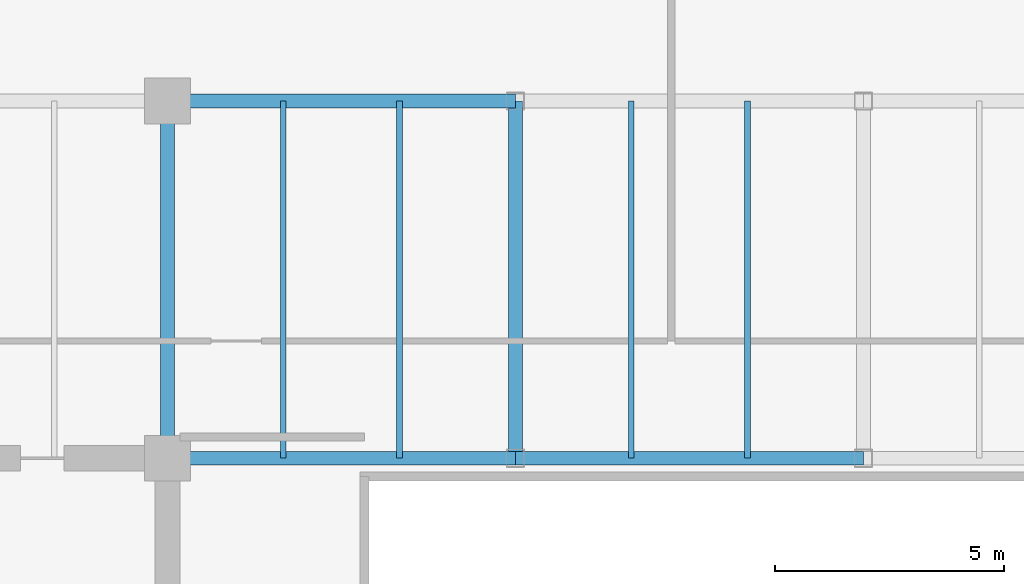
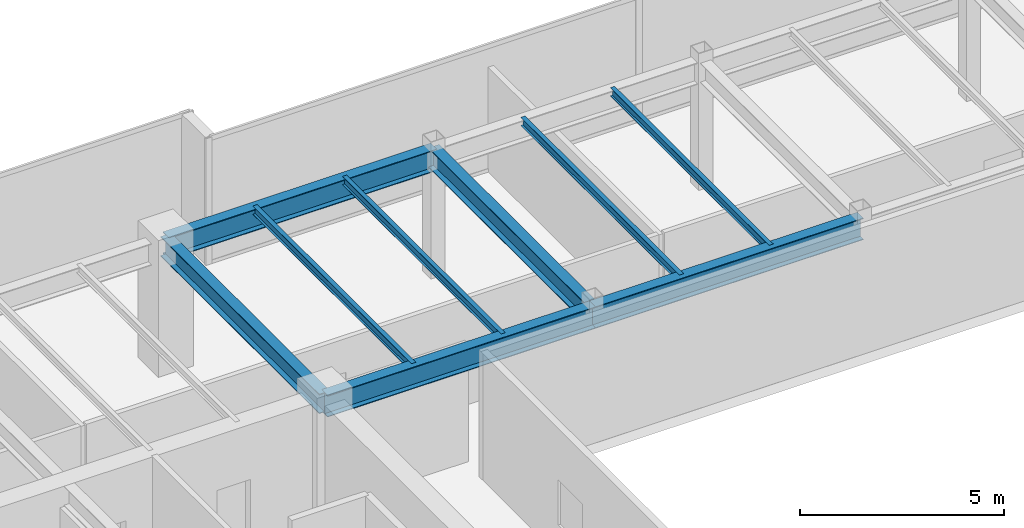
# One storey, part 16 of 34: 9 beams.
"""IFC4 building model written with IfcOpenShell, lengths in metres."""

import ifcopenshell
import ifcopenshell.guid

model = None  # the IFC model being written
_history = None  # IfcOwnerHistory: only IFC2X3 demands one
_inside = {}  # id of a spatial element -> (the spatial element, [elements in it])
_under = {}  # id of a project, library or spatial element -> (it, [spatial elements below it])
_declared = {}  # id of a project -> (the project, [libraries it declares])
_typed = {}  # id of a type object -> (the type object, [elements of that type])
_made_of = {}  # id of a material, layer set ... -> (it, [elements and type objects made of it])


def new_model(schema):
    """Start an empty IFC model of exactly this schema.

    Asked for "IFC4X3", IfcOpenShell would pick the latest addendum, in which some entities
    have other attributes; the version numbers below select the first issue.
    IFC2X3 requires an IfcOwnerHistory on every rooted entity: one is made here for all.
    """
    global model, _history
    if schema == "IFC4X3":
        model = ifcopenshell.file(schema_version=(4, 3, 0, 0))
    else:
        model = ifcopenshell.file(schema=schema)
    _inside.clear()
    _under.clear()
    _declared.clear()
    _typed.clear()
    _made_of.clear()
    _history = None
    if model.schema == "IFC2X3":
        org = make("IfcOrganization", Name="unknown")
        user = make(
            "IfcPersonAndOrganization",
            ThePerson=make("IfcPerson", FamilyName="unknown"),
            TheOrganization=org,
        )
        app = make(
            "IfcApplication",
            ApplicationDeveloper=org,
            Version="unknown",
            ApplicationFullName="unknown",
            ApplicationIdentifier="unknown",
        )
        _history = make(
            "IfcOwnerHistory",
            OwningUser=user,
            OwningApplication=app,
            ChangeAction="ADDED",
            CreationDate=0,
        )
    return model


def make(cls, **values):
    """One entity of the class cls with the attributes given. An attribute that is None is left unset."""
    return model.create_entity(
        cls, **{name: value for name, value in values.items() if value is not None}
    )


def rooted(cls, **values):
    """An entity with a GlobalId (a new one), such as an element, a storey or a relation."""
    return make(cls, GlobalId=ifcopenshell.guid.new(), OwnerHistory=_history, **values)


def si_unit(unit_type, name, prefix=None):
    """IfcSIUnit, for example si_unit("LENGTHUNIT", "METRE", prefix="MILLI")."""
    return make("IfcSIUnit", UnitType=unit_type, Prefix=prefix, Name=name)


def assignment(units):
    """IfcUnitAssignment: the units of a project."""
    return None if units is None else make("IfcUnitAssignment", Units=units)


def point(xyz):
    """IfcCartesianPoint."""
    return None if xyz is None else make("IfcCartesianPoint", Coordinates=xyz)


def direction(xyz):
    """IfcDirection."""
    return None if xyz is None else make("IfcDirection", DirectionRatios=xyz)


def frame(location, z_axis=None, x_axis=None):
    """IfcAxis2Placement3D, a coordinate frame: its origin and axes. An axis left out is left unset."""
    return make(
        "IfcAxis2Placement3D",
        Location=point(location),
        Axis=direction(z_axis),
        RefDirection=direction(x_axis),
    )


def frame_2d(location, x_axis=None):
    """IfcAxis2Placement2D, a coordinate frame in the plane: its origin and x axis."""
    return make(
        "IfcAxis2Placement2D", Location=point(location), RefDirection=direction(x_axis)
    )


def origin():
    """The frame at (0, 0, 0) with its axes left unset."""
    return frame((0.0, 0.0, 0.0))


def origin_2d():
    """The frame at (0, 0) in the plane with its x axis left unset."""
    return frame_2d((0.0, 0.0))


def place(relative_to, where):
    """IfcLocalPlacement: puts the frame where relative to a parent placement (None: the world)."""
    return make(
        "IfcLocalPlacement", PlacementRelTo=relative_to, RelativePlacement=where
    )


def context(
    kind, dimensions, precision=None, world=None, true_north=None, identifier=None
):
    """IfcGeometricRepresentationContext, for example the 3D "Model" context."""
    return make(
        "IfcGeometricRepresentationContext",
        ContextIdentifier=identifier,
        ContextType=kind,
        CoordinateSpaceDimension=dimensions,
        Precision=precision,
        WorldCoordinateSystem=world,
        TrueNorth=true_north,
    )


def subcontext(parent, identifier, kind, view, scale=None):
    """IfcGeometricRepresentationSubContext, for example "Body" below "Model"."""
    return make(
        "IfcGeometricRepresentationSubContext",
        ContextIdentifier=identifier,
        ContextType=kind,
        ParentContext=parent,
        TargetScale=scale,
        TargetView=view,
    )


def project(units=None, contexts=None):
    """IfcProject with its units and contexts."""
    return rooted(
        "IfcProject",
        Name="project",
        RepresentationContexts=contexts,
        UnitsInContext=assignment(units),
    )


def spatial(cls, under=None, at=None, **own):
    """A site, building, storey or space (cls), placed at a placement, below another one or the project."""
    s = rooted(cls, ObjectPlacement=at, **own)
    if under is not None:
        _under.setdefault(under.id(), (under, []))[1].append(s)
    return s


def profile(cls, at=None, kind="AREA", **sizes):
    """A parametric profile (cls). Its sizes go by their IFC names, for example OverallWidth=200.0."""
    return make(cls, ProfileType=kind, Position=at, **sizes)


def i_section(**sizes):
    """IfcIShapeProfileDef."""
    return profile("IfcIShapeProfileDef", **sizes)


def extrude(swept, where, along, depth):
    """IfcExtrudedAreaSolid: the profile swept, set in the frame where, extruded along a direction by depth."""
    return make(
        "IfcExtrudedAreaSolid",
        SweptArea=swept,
        Position=where,
        ExtrudedDirection=direction(along),
        Depth=depth,
    )


def shape(context_of_items, identifier, shape_type, items):
    """IfcShapeRepresentation: the items that make up one representation, for example the "Body"."""
    return make(
        "IfcShapeRepresentation",
        ContextOfItems=context_of_items,
        RepresentationIdentifier=identifier,
        RepresentationType=shape_type,
        Items=items,
    )


def source(mapping_origin, context_of_items, identifier, shape_type, items):
    """IfcRepresentationMap: a shape defined once, which mapped items show again and again."""
    return make(
        "IfcRepresentationMap",
        MappingOrigin=mapping_origin,
        MappedRepresentation=shape(context_of_items, identifier, shape_type, items),
    )


def transform(
    local_origin,
    x_axis=None,
    y_axis=None,
    z_axis=None,
    scale=None,
    scale2=None,
    scale3=None,
    uniform=True,
):
    """IfcCartesianTransformationOperator3D, or its non-uniform kind. x_axis, y_axis, z_axis: its Axis1, 2, 3."""
    if uniform:
        return make(
            "IfcCartesianTransformationOperator3D",
            Axis1=direction(x_axis),
            Axis2=direction(y_axis),
            LocalOrigin=point(local_origin),
            Scale=scale,
            Axis3=direction(z_axis),
        )
    return make(
        "IfcCartesianTransformationOperator3DnonUniform",
        Axis1=direction(x_axis),
        Axis2=direction(y_axis),
        LocalOrigin=point(local_origin),
        Scale=scale,
        Axis3=direction(z_axis),
        Scale2=scale2,
        Scale3=scale3,
    )


def mapped(mapping_source, mapping_target):
    """IfcMappedItem: shows the shape of a source again, moved by a transform."""
    return make(
        "IfcMappedItem", MappingSource=mapping_source, MappingTarget=mapping_target
    )


def material(Name=None, Category=None):
    """IfcMaterial."""
    return make("IfcMaterial", Name=Name, Category=Category)


def material_profile(
    of_material, cross_section, Name=None, Category=None, Priority=None
):
    """IfcMaterialProfile: a cross section and its material."""
    return make(
        "IfcMaterialProfile",
        Name=Name,
        Material=of_material,
        Profile=cross_section,
        Priority=Priority,
        Category=Category,
    )


def profile_set(profiles, Name=None, composite=None):
    """IfcMaterialProfileSet."""
    return make(
        "IfcMaterialProfileSet",
        Name=Name,
        MaterialProfiles=profiles,
        CompositeProfile=composite,
    )


def made_of(thing, what):
    """Note that an element or type object is made of a material, layer set ...; save() writes the relation."""
    if what is not None:
        _made_of.setdefault(what.id(), (what, []))[1].append(thing)
    return thing


def type_object(cls, material=None, **own):
    """A type object (cls), such as IfcWallType, which elements share."""
    return made_of(rooted(cls, **own), material)


def type_shapes(of_type, sources):
    """Give a type object the sources (RepresentationMaps) that its elements show as mapped items."""
    of_type.RepresentationMaps = sources


def element(
    cls,
    number,
    at=None,
    inside=None,
    cuts=None,
    type_object=None,
    material=None,
    context=None,
    identifier="Body",
    shape_type=None,
    held_by="IfcProductDefinitionShape",
    body=None,
    shapes=None,
    **own,
):
    """One element of the class cls, such as IfcWall. Its Tag is "e" and its number.

    at: its placement. inside: the storey or other place that contains it. cuts: it is an
    opening in that element (IfcRelVoidsElement). A single representation is given by context,
    identifier, shape_type and body (its items); several are given by shapes. held_by: the class
    of the entity that holds the representations. save() writes the other relations.
    """
    e = rooted(cls, Tag="e%d" % number, ObjectPlacement=at, **own)
    if body is not None:
        shapes = [shape(context, identifier, shape_type, body)]
    if shapes is not None:
        e.Representation = make(held_by, Representations=shapes)
    if inside is not None:
        _inside.setdefault(inside.id(), (inside, []))[1].append(e)
    if cuts is not None:
        rooted(
            "IfcRelVoidsElement", RelatingBuildingElement=cuts, RelatedOpeningElement=e
        )
    if type_object is not None:
        _typed.setdefault(type_object.id(), (type_object, []))[1].append(e)
    return made_of(e, material)


def aggregate(whole, parts):
    """IfcRelAggregates: a whole, such as a stair, and the parts it consists of."""
    return rooted("IfcRelAggregates", RelatingObject=whole, RelatedObjects=parts)


def save(model, path):
    """Write the relations noted so far, then the file.

    IfcRelAggregates (storeys below a building ...), IfcRelContainedInSpatialStructure (elements
    in a storey), IfcRelDefinesByType, IfcRelAssociatesMaterial and IfcRelDeclares: one each for
    every whole, place, type object, material and project.
    """
    for whole, parts in _under.values():
        aggregate(whole, parts)
    for where, things in _inside.values():
        rooted(
            "IfcRelContainedInSpatialStructure",
            RelatedElements=things,
            RelatingStructure=where,
        )
    for kind, things in _typed.values():
        rooted("IfcRelDefinesByType", RelatedObjects=things, RelatingType=kind)
    for what, things in _made_of.values():
        rooted("IfcRelAssociatesMaterial", RelatedObjects=things, RelatingMaterial=what)
    for by, libraries in _declared.values():
        rooted("IfcRelDeclares", RelatingContext=by, RelatedDefinitions=libraries)
    model.write(path)


model = new_model("IFC4")

# Units and contexts
model_context = context("Model", 3, precision=1e-05, world=origin(), true_north=direction((0.0, 1.0)))
body_context = subcontext(model_context, "Body", "Model", "MODEL_VIEW")
ifc_project = project(units=[si_unit("LENGTHUNIT", "METRE"), si_unit("AREAUNIT", "SQUARE_METRE"), si_unit("VOLUMEUNIT", "CUBIC_METRE"), si_unit("PLANEANGLEUNIT", "RADIAN"), si_unit("MASSUNIT", "GRAM", prefix="KILO")], contexts=[model_context])

# Site, building, storey
site_placement = place(None, origin())
site = spatial("IfcSite", under=ifc_project, at=site_placement, CompositionType="ELEMENT")
building_placement = place(site_placement, origin())
building = spatial("IfcBuilding", under=site, at=building_placement, Name="Haelvirn Gate Laboratories", CompositionType="ELEMENT")
storey_placement = place(building_placement, frame((0.0, 0.0, 246.5)))
storey = spatial("IfcBuildingStorey", under=building, at=storey_placement, Name="L59", CompositionType="ELEMENT", Elevation=246.5)

# Beams
ifc_material = material(Name="Steel SM355", Category="steel")
ifc_material_profile_1 = material_profile(ifc_material, i_section(OverallWidth=0.300048828125, OverallDepth=0.587890625, WebThickness=0.011962890625, FlangeThickness=0.02001953125, at=origin_2d()), Name="H-588x300x12x20")
ifc_profile_set_1 = profile_set([ifc_material_profile_1], Name="Steel SM355")
beam_type_1 = type_object("IfcBeamType", Name="BM-G-588", PredefinedType="BEAM", material=ifc_profile_set_1)
shared_shape_1 = source(origin(), body_context, "Body", "SweptSolid", [
    extrude(i_section(OverallWidth=0.300048828125, OverallDepth=0.587890625, WebThickness=0.011962890625, FlangeThickness=0.02001953125, at=origin_2d()), origin(), (0.0, 0.0, 1.0), 7.800048828125),
])
type_shapes(beam_type_1, [shared_shape_1])
for number, where, z_axis, x_axis, name in (
    (1, (22.199951171875, 33.800048828125, 3.506103515625), (0.0, 1.0, 0.0), (-1.0, 0.0, 0.0), "L59 Frame Girder X22.2 (33.8-41.6)"),
    (2, (29.800048828125, 33.800048828125, 3.506103515625), (0.0, 1.0, 0.0), (-1.0, 0.0, 0.0), "L59 Frame Girder X29.8 (33.8-41.6)"),
):
    element("IfcBeam", number, at=place(storey_placement, frame(where, z_axis=z_axis, x_axis=x_axis)), inside=storey, type_object=beam_type_1, Name=name, PredefinedType="BEAM", context=body_context, shape_type="MappedRepresentation", body=[
        mapped(shared_shape_1, transform((0.0, 0.0, 0.0), scale=1.0)),
    ])
ifc_material_profile_2 = material_profile(ifc_material, i_section(OverallWidth=0.300048828125, OverallDepth=0.64990234375, WebThickness=0.012939453125, FlangeThickness=0.02197265625, at=origin_2d()), Name="H-650x300x13x22")
ifc_profile_set_2 = profile_set([ifc_material_profile_2], Name="Steel SM355")
beam_type_2 = type_object("IfcBeamType", Name="BM-G-650", PredefinedType="BEAM", material=ifc_profile_set_2)
shared_shape_2 = source(origin(), body_context, "Body", "SweptSolid", [
    extrude(i_section(OverallWidth=0.300048828125, OverallDepth=0.64990234375, WebThickness=0.012939453125, FlangeThickness=0.02197265625, at=origin_2d()), origin(), (0.0, 0.0, 1.0), 7.60009765625),
])
for number, where, z_axis, x_axis, name in (
    (3, (22.199951171875, 33.800048828125, 3.47509765625), (1.0, 0.0, 0.0), (0.0, 1.0, 0.0), "L59 Primary Girder Y33.8 (22.2-29.8)"),
    (4, (22.199951171875, 41.60009765625, 3.47509765625), (1.0, 0.0, 0.0), (0.0, 1.0, 0.0), "L59 Primary Girder Y41.6 (22.2-29.8)"),
):
    element("IfcBeam", number, at=place(storey_placement, frame(where, z_axis=z_axis, x_axis=x_axis)), inside=storey, type_object=beam_type_2, Name=name, PredefinedType="BEAM", context=body_context, shape_type="MappedRepresentation", body=[
        mapped(shared_shape_2, transform((0.0, 0.0, 0.0), scale=1.0)),
    ])
shared_shape_3 = source(origin(), body_context, "Body", "SweptSolid", [
    extrude(i_section(OverallWidth=0.300048828125, OverallDepth=0.64990234375, WebThickness=0.012939453125, FlangeThickness=0.02197265625, at=origin_2d()), origin(), (0.0, 0.0, 1.0), 7.599853515625),
])
type_shapes(beam_type_2, [shared_shape_2, shared_shape_3])
beam_placement = place(storey_placement, frame((29.800048828125, 33.800048828125, 3.47509765625), z_axis=(1.0, 0.0, 0.0), x_axis=(0.0, 1.0, 0.0)))
element("IfcBeam", 5, at=beam_placement, inside=storey, type_object=beam_type_2, Name="L59 Primary Girder Y33.8 (29.8-37.4)", PredefinedType="BEAM", context=body_context, shape_type="MappedRepresentation", body=[
    mapped(shared_shape_3, transform((0.0, 0.0, 0.0), scale=1.0)),
])
ifc_material_profile_3 = material_profile(ifc_material, i_section(OverallWidth=0.125, OverallDepth=0.25, WebThickness=0.006103515625, FlangeThickness=0.009033203125, at=origin_2d()), Name="H-250x125x6x9")
ifc_profile_set_3 = profile_set([ifc_material_profile_3], Name="Steel SM355")
beam_type_3 = type_object("IfcBeamType", Name="BM-J-250", PredefinedType="JOIST", material=ifc_profile_set_3)
shared_shape_4 = source(origin(), body_context, "Body", "SweptSolid", [
    extrude(i_section(OverallWidth=0.125, OverallDepth=0.25, WebThickness=0.006103515625, FlangeThickness=0.009033203125, at=origin_2d()), origin(), (0.0, 0.0, 1.0), 7.800048828125),
])
type_shapes(beam_type_3, [shared_shape_4])
for number, where, z_axis, x_axis, name in (
    (6, (24.72998046875, 33.800048828125, 3.675048828125), (0.0, 1.0, 0.0), (-1.0, 0.0, 0.0), "L59 Composite Lab Joist North X24.73"),
    (7, (27.27001953125, 33.800048828125, 3.675048828125), (0.0, 1.0, 0.0), (-1.0, 0.0, 0.0), "L59 Composite Lab Joist North X27.27"),
    (8, (32.330078125, 33.800048828125, 3.675048828125), (0.0, 1.0, 0.0), (-1.0, 0.0, 0.0), "L59 Composite Lab Joist North X32.33"),
    (9, (34.8701171875, 33.800048828125, 3.675048828125), (0.0, 1.0, 0.0), (-1.0, 0.0, 0.0), "L59 Composite Lab Joist North X34.87"),
):
    element("IfcBeam", number, at=place(storey_placement, frame(where, z_axis=z_axis, x_axis=x_axis)), inside=storey, type_object=beam_type_3, Name=name, PredefinedType="JOIST", context=body_context, shape_type="MappedRepresentation", body=[
        mapped(shared_shape_4, transform((0.0, 0.0, 0.0), scale=1.0)),
    ])

save(model, "model.ifc")
